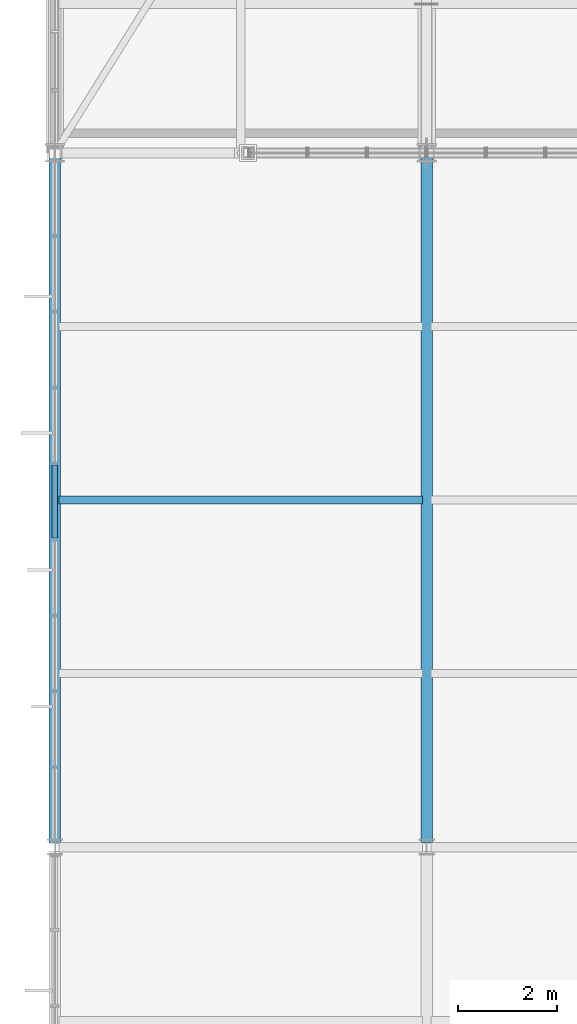
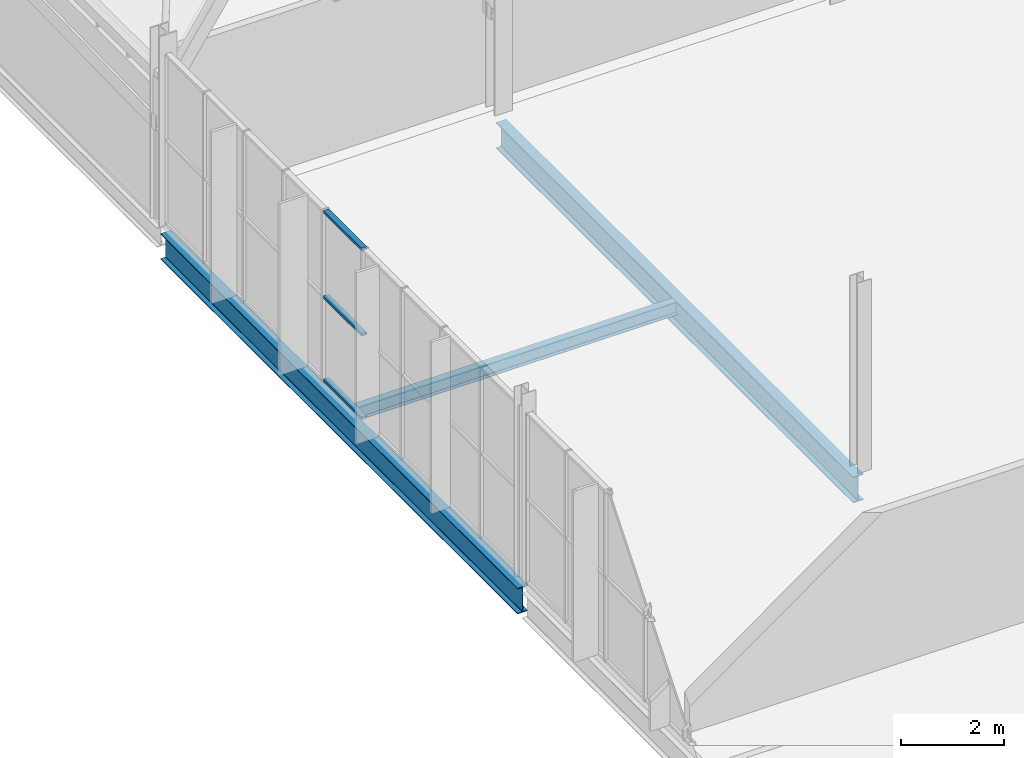
# One storey, part 43 of 324: 3 beams, 3 members, 1 element without a shape of its own.
"""IFC4 building model written with IfcOpenShell, lengths in metres."""

from ifc_helpers import new_model, si_unit, direction, frame, origin, origin_2d, place, context, subcontext, project, spatial, hollow_rectangle, i_section, extrude, material, layer, layer_set, material_profile, profile_set, type_object, element, aggregate, save


model = new_model("IFC4")

# Units and contexts
model_context = context("Model", 3, precision=1e-05, world=origin(), true_north=direction((0.0, 1.0)))
body_context = subcontext(model_context, "Body", "Model", "MODEL_VIEW")
ifc_project = project(units=[si_unit("LENGTHUNIT", "METRE"), si_unit("AREAUNIT", "SQUARE_METRE"), si_unit("VOLUMEUNIT", "CUBIC_METRE"), si_unit("PLANEANGLEUNIT", "RADIAN"), si_unit("MASSUNIT", "GRAM", prefix="KILO")], contexts=[model_context])

# Site, building, storey
site_placement = place(None, origin())
site = spatial("IfcSite", under=ifc_project, at=site_placement, CompositionType="ELEMENT")
building_placement = place(site_placement, origin())
building = spatial("IfcBuilding", under=site, at=building_placement, Name="Solvenia Promenade Tram Depot", CompositionType="ELEMENT")
storey_placement = place(building_placement, frame((0.0, 0.0, 4.5)))
storey = spatial("IfcBuildingStorey", under=building, at=storey_placement, Name="L01", CompositionType="ELEMENT", Elevation=4.5)

# Curtain wall, members
ifc_material_1 = material(Name="Anodized aluminium AW-6063 T6", Category="aluminium")
ifc_layer = layer(ifc_material_1, 0.1201171875, Name="Anodized aluminium AW-6063 T6", Category="aluminium")
ifc_layer_set = layer_set([ifc_layer], Name="Anodized aluminium AW-6063 T6")
curtain_wall_type = type_object("IfcCurtainWallType", Name="CW-Wash-1500", PredefinedType="NOTDEFINED", material=ifc_layer_set)
curtain_wall_placement = place(storey_placement, origin())
curtain_wall = element("IfcCurtainWall", 1, at=curtain_wall_placement, inside=storey, type_object=curtain_wall_type, Name="Curtain Wall CW-V3-W-L1-3", PredefinedType="NOTDEFINED")
ifc_material_profile_1 = material_profile(ifc_material_1, hollow_rectangle(XDim=0.1201171875, YDim=0.06005859375, WallThickness=0.00390625, at=origin_2d()), Name="ALU-T1", Category="aluminium")
ifc_profile_set_1 = profile_set([ifc_material_profile_1], Name="Anodized aluminium AW-6063 T6")
member_type = type_object("IfcMemberType", Name="CWT-Transom-1", PredefinedType="USERDEFINED", material=ifc_profile_set_1)
member_1_placement = place(storey_placement, frame((0.0, 58.23046875, 0.030029296875), z_axis=(0.0, 1.0, 0.0), x_axis=(-1.0, 0.0, 0.0)))
member_1 = element("IfcMember", 2, at=member_1_placement, type_object=member_type, Name="CW-10 transom 5.1", ObjectType="TRANSOM", PredefinedType="USERDEFINED", context=body_context, shape_type="SweptSolid", body=[
    extrude(hollow_rectangle(XDim=0.1201171875, YDim=0.06005859375, WallThickness=0.00390625, at=origin_2d()), origin(), (0.0, 0.0, 1.0), 1.47900390625),
])
member_2_placement = place(storey_placement, frame((0.0, 58.23046875, 2.0), z_axis=(0.0, 1.0, 0.0), x_axis=(-1.0, 0.0, 0.0)))
member_2 = element("IfcMember", 3, at=member_2_placement, type_object=member_type, Name="CW-10 transom 5.2", ObjectType="TRANSOM", PredefinedType="USERDEFINED", context=body_context, shape_type="SweptSolid", body=[
    extrude(hollow_rectangle(XDim=0.1201171875, YDim=0.06005859375, WallThickness=0.00390625, at=origin_2d()), origin(), (0.0, 0.0, 1.0), 1.47900390625),
])
member_3_placement = place(storey_placement, frame((0.0, 58.23046875, 4.02001953125), z_axis=(0.0, 1.0, 0.0), x_axis=(-1.0, 0.0, 0.0)))
member_3 = element("IfcMember", 4, at=member_3_placement, type_object=member_type, Name="CW-10 transom 5.3", ObjectType="TRANSOM", PredefinedType="USERDEFINED", context=body_context, shape_type="SweptSolid", body=[
    extrude(hollow_rectangle(XDim=0.1201171875, YDim=0.06005859375, WallThickness=0.00390625, at=origin_2d()), origin(), (0.0, 0.0, 1.0), 1.47900390625),
])
aggregate(curtain_wall, [member_1, member_2, member_3])

# Beams
ifc_material_2 = material(Name="Structural steel ASTM A992 Gr. 50", Category="steel")
ifc_material_profile_2 = material_profile(ifc_material_2, i_section(OverallWidth=0.22900390625, OverallDepth=0.612060546875, WebThickness=0.011962890625, FlangeThickness=0.01953125, FilletRadius=0.014892578125, at=origin_2d()), Name="W610x125", Category="steel")
ifc_profile_set_2 = profile_set([ifc_material_profile_2], Name="Structural steel ASTM A992 Gr. 50")
beam_type_1 = type_object("IfcBeamType", Name="Gird-W610x125", PredefinedType="BEAM", material=ifc_profile_set_2)
for number, where, z_axis, x_axis, name in (
    (5, (0.0, 52.0849609375, -0.5458984375), (0.0, 1.0, 0.0), (-1.0, 0.0, 0.0), "Transverse Girder BM-L01-0231"),
    (6, (7.5, 52.0849609375, -0.5458984375), (0.0, 1.0, 0.0), (-1.0, 0.0, 0.0), "Transverse Girder BM-L01-0234"),
):
    element("IfcBeam", number, at=place(storey_placement, frame(where, z_axis=z_axis, x_axis=x_axis)), inside=storey, type_object=beam_type_1, Name=name, PredefinedType="BEAM", context=body_context, shape_type="SweptSolid", body=[
        extrude(i_section(OverallWidth=0.22900390625, OverallDepth=0.612060546875, WebThickness=0.011962890625, FlangeThickness=0.01953125, FilletRadius=0.014892578125, at=origin_2d()), origin(), (0.0, 0.0, 1.0), 13.830078125),
    ])
ifc_material_profile_3 = material_profile(ifc_material_2, i_section(OverallWidth=0.166015625, OverallDepth=0.31298828125, WebThickness=0.006591796875, FlangeThickness=0.01123046875, FilletRadius=0.010009765625, at=origin_2d()), Name="W310x45", Category="steel")
ifc_profile_set_3 = profile_set([ifc_material_profile_3], Name="Structural steel ASTM A992 Gr. 50")
beam_type_2 = type_object("IfcBeamType", Name="Joist-W310x45", PredefinedType="JOIST", material=ifc_profile_set_3)
beam_placement = place(storey_placement, frame((0.0849609375, 59.0, -0.396484375), z_axis=(1.0, 0.0, 0.0), x_axis=(0.0, 1.0, 0.0)))
element("IfcBeam", 7, at=beam_placement, inside=storey, type_object=beam_type_2, Name="Secondary Floor Joist BM-L01-0257", PredefinedType="JOIST", context=body_context, shape_type="SweptSolid", body=[
    extrude(i_section(OverallWidth=0.166015625, OverallDepth=0.31298828125, WebThickness=0.006591796875, FlangeThickness=0.01123046875, FilletRadius=0.010009765625, at=origin_2d()), origin(), (0.0, 0.0, 1.0), 7.330078125),
])

save(model, "model.ifc")
